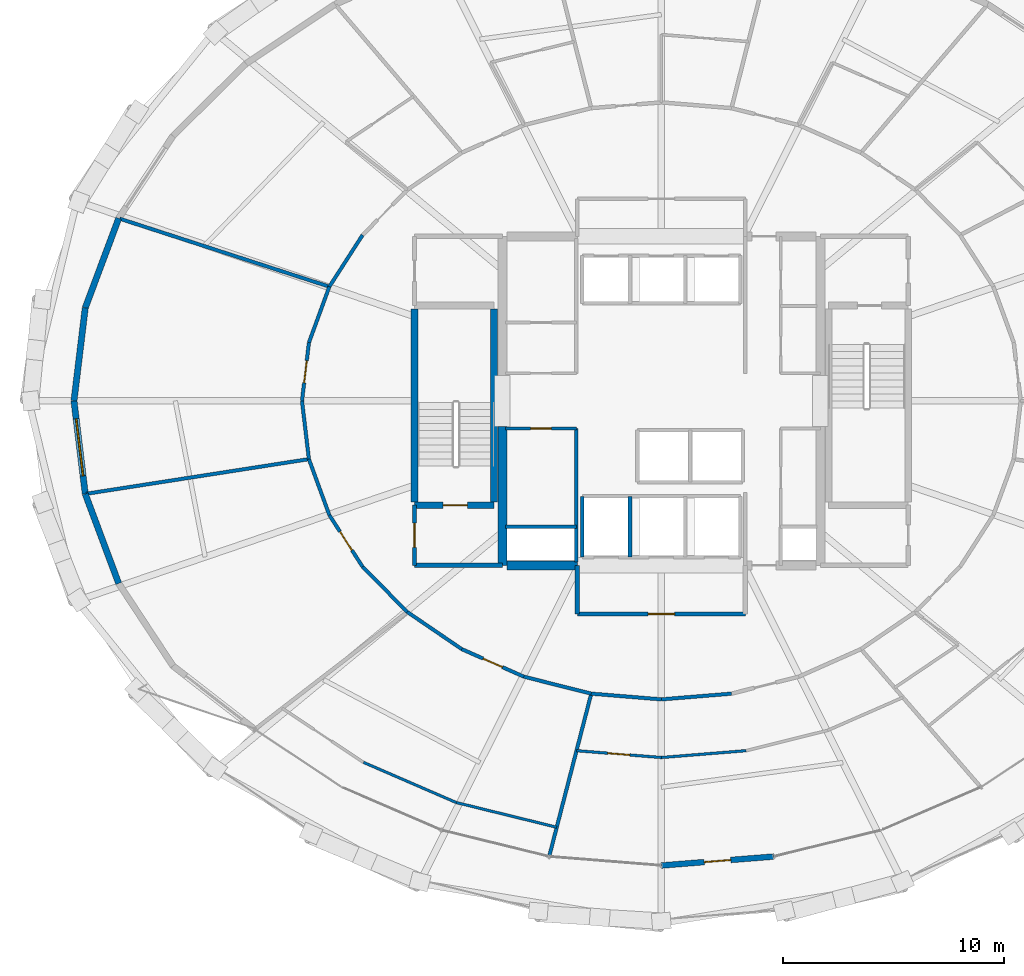
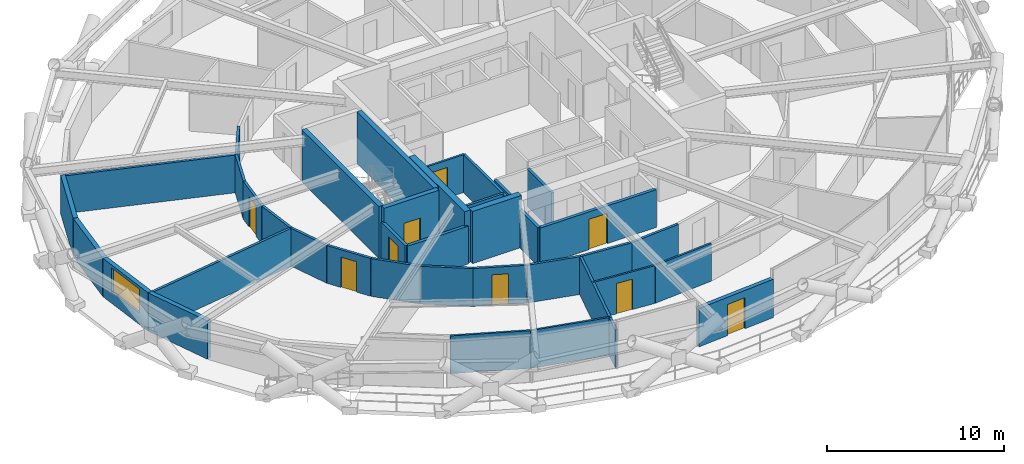
# One storey, part 11 of 17: 38 walls, 9 doors, 1 window, 10 openings.
"""IFC4 building model written with IfcOpenShell, lengths in metres."""

from ifc_helpers import new_model, si_unit, direction, frame, frame_2d, origin, place, context, subcontext, project, spatial, rectangle, extrude, material, layer, layer_set, type_object, element, fill, save


model = new_model("IFC4")

# Units and contexts
model_context = context("Model", 3, precision=1e-05, world=origin(), true_north=direction((0.0, 1.0)))
body_context = subcontext(model_context, "Body", "Model", "MODEL_VIEW")
ifc_project = project(units=[si_unit("LENGTHUNIT", "METRE"), si_unit("AREAUNIT", "SQUARE_METRE"), si_unit("VOLUMEUNIT", "CUBIC_METRE"), si_unit("PLANEANGLEUNIT", "RADIAN"), si_unit("MASSUNIT", "GRAM", prefix="KILO")], contexts=[model_context])

# Site, building, storey
site_placement = place(None, origin())
site = spatial("IfcSite", under=ifc_project, at=site_placement, CompositionType="ELEMENT")
building_placement = place(site_placement, origin())
building = spatial("IfcBuilding", under=site, at=building_placement, Name="Veldorina Hangang Commons", CompositionType="ELEMENT")
storey_placement = place(building_placement, frame((0.0, 0.0, 55.60009765625)))
storey = spatial("IfcBuildingStorey", under=building, at=storey_placement, Name="L13", CompositionType="ELEMENT", Elevation=55.60009765625)

# Walls
ifc_material_1 = material(Name="Concrete C70/85", Category="concrete")
ifc_layer_1 = layer(ifc_material_1, 0.39990234375)
ifc_layer_set_1 = layer_set([ifc_layer_1], Name="Concrete C70/85")
wall_type_1 = type_object("IfcWallType", Name="CW-RC400-C70", PredefinedType="SHEAR", material=ifc_layer_set_1)
wall_1_placement = place(storey_placement, frame((24.800048828125, 16.550048828125, 0.0), z_axis=(0.0, 0.0, 1.0), x_axis=(0.0, 1.0, 0.0)))
element("IfcWall", 1, at=wall_1_placement, inside=storey, type_object=wall_type_1, Name="L13 W south core shear wall", PredefinedType="SHEAR", context=body_context, shape_type="SweptSolid", body=[
    extrude(rectangle(XDim=6.300048828125, YDim=0.39990234375, at=frame_2d((3.14990234375, 0.0))), origin(), (0.0, 0.0, 1.0), 3.599853515625),
])
wall_2_placement = place(storey_placement, frame((25.0, 16.550048828125, 0.0), z_axis=(0.0, 0.0, 1.0), x_axis=(1.0, 0.0, 0.0)))
element("IfcWall", 2, at=wall_2_placement, inside=storey, type_object=wall_type_1, Name="L13 south-west core shear wall", PredefinedType="SHEAR", context=body_context, shape_type="SweptSolid", body=[
    extrude(rectangle(XDim=3.199951171875, YDim=0.39990234375, at=frame_2d((1.60009765625, 0.0))), origin(), (0.0, 0.0, 1.0), 3.599853515625),
])

# Wall, opening, door
ifc_material_2 = material(Name="Stone Roman Travertine", Category="masonry")
ifc_layer_2 = layer(ifc_material_2, 0.260009765625)
ifc_layer_set_2 = layer_set([ifc_layer_2], Name="Stone Roman Travertine")
wall_type_2 = type_object("IfcWallType", Name="EW-LOGGIA-260", PredefinedType="STANDARD", material=ifc_layer_set_2)
wall_3_placement = place(storey_placement, frame((32.0, 2.959228515625, 0.0), z_axis=(0.0, 0.0, 1.0), x_axis=(0.996848397903, 0.07933014306, 0.0)))
wall_3 = element("IfcWall", 3, at=wall_3_placement, inside=storey, type_object=wall_type_2, Name="L13 sky-garden loggia portal wall 24", PredefinedType="STANDARD", context=body_context, shape_type="SweptSolid", body=[
    extrude(rectangle(XDim=5.096435546875, YDim=0.260009765625, at=frame_2d((2.54833984375, 0.0))), origin(), (0.0, 0.0, 1.0), 2.64990234375),
])
opening_1_placement = place(wall_3_placement, frame((1.9482421875, 0.0, 0.0)))
opening_1 = element("IfcOpeningElement", 4, at=opening_1_placement, cuts=wall_3, Name="Opening BD-1200", PredefinedType="OPENING", context=body_context, shape_type="SweptSolid", body=[
    extrude(rectangle(XDim=1.199951171875, YDim=2.14990234375, at=frame_2d((0.60009765625, 1.074951171875))), frame((0.0, 0.14013671875, 0.0), z_axis=(0.0, -1.0, 0.0), x_axis=(1.0, 0.0, 0.0)), (0.0, 0.0, 1.0), 0.280029296875),
])
ifc_material_3 = material(Name="Glass Thermal Aluminium Frame", Category="aluminium")
door_type_1 = type_object("IfcDoorType", Name="DR-EXT-LOG1200", OperationType="SINGLE_SWING_LEFT", PredefinedType="DOOR", material=ifc_material_3)
door_1_placement = place(opening_1_placement, origin())
door_1 = element("IfcDoor", 5, at=door_1_placement, inside=storey, type_object=door_type_1, Name="L13 loggia glazed exterior door 24", OperationType="SINGLE_SWING_LEFT", OverallHeight=2.14990234375, OverallWidth=1.199951171875, PredefinedType="DOOR", context=body_context, shape_type="SweptSolid", body=[
    extrude(rectangle(XDim=1.199951171875, YDim=2.14990234375, at=frame_2d((0.60009765625, 1.074951171875))), frame((0.0, 0.02490234375, 0.0), z_axis=(0.0, -1.0, 0.0), x_axis=(1.0, 0.0, 0.0)), (0.0, 0.0, 1.0), 0.050048828125),
])
fill(opening_1, door_1)

# Walls
ifc_layer_3 = layer(ifc_material_2, 0.280029296875)
ifc_layer_set_3 = layer_set([ifc_layer_3], Name="Stone Roman Travertine")
wall_type_3 = type_object("IfcWallType", Name="EW-TRAV-280", PredefinedType="STANDARD", material=ifc_layer_set_3)
wall_4_placement = place(storey_placement, frame((7.42431640625, 32.26611328125, 0.0), z_axis=(0.0, 0.0, 1.0), x_axis=(-0.349991270329, -0.936752961401, 0.0)))
element("IfcWall", 6, at=wall_4_placement, inside=storey, type_object=wall_type_3, Name="L13 travertine facade wall 14", PredefinedType="STANDARD", context=body_context, shape_type="SweptSolid", body=[
    extrude(rectangle(XDim=4.32568359375, YDim=0.280029296875, at=frame_2d((2.162841796875, 0.0))), origin(), (0.0, 0.0, 1.0), 2.64990234375),
])
wall_5_placement = place(storey_placement, frame((5.910400390625, 28.214111328125, 0.0), z_axis=(0.0, 0.0, 1.0), x_axis=(-0.120374306833, -0.992728576326, 0.0)))
element("IfcWall", 7, at=wall_5_placement, inside=storey, type_object=wall_type_3, Name="L13 travertine facade wall 15", PredefinedType="STANDARD", context=body_context, shape_type="SweptSolid", body=[
    extrude(rectangle(XDim=4.244873046875, YDim=0.280029296875, at=frame_2d((2.12255859375, 0.0))), origin(), (0.0, 0.0, 1.0), 2.64990234375),
])

# Wall, opening, window
wall_6_placement = place(storey_placement, frame((5.3994140625, 24.0, 0.0), z_axis=(0.0, 0.0, 1.0), x_axis=(0.120374306833, -0.992728576326, 0.0)))
wall_6 = element("IfcWall", 8, at=wall_6_placement, inside=storey, type_object=wall_type_3, Name="L13 travertine facade wall 16", PredefinedType="STANDARD", context=body_context, shape_type="SweptSolid", body=[
    extrude(rectangle(XDim=4.244873046875, YDim=0.280029296875, at=frame_2d((2.12255859375, 0.0))), origin(), (0.0, 0.0, 1.0), 2.64990234375),
])
opening_2_placement = place(wall_6_placement, frame((0.822509765625, 0.0, 0.800048828125)))
opening_2 = element("IfcOpeningElement", 9, at=opening_2_placement, cuts=wall_6, Name="Opening W-02", PredefinedType="OPENING", context=body_context, shape_type="SweptSolid", body=[
    extrude(rectangle(XDim=2.60009765625, YDim=1.64990234375, at=frame_2d((1.300048828125, 0.824951171875))), frame((0.0, 0.14990234375, 0.0), z_axis=(0.0, -1.0, 0.0), x_axis=(1.0, 0.0, 0.0)), (0.0, 0.0, 1.0), 0.300048828125),
])
ifc_material_4 = material(Name="Glass Low-E Triple IGU", Category="glass")
window_type = type_object("IfcWindowType", Name="WIN-TWR-2600", PartitioningType="SINGLE_PANEL", PredefinedType="WINDOW", material=ifc_material_4)
window_placement = place(opening_2_placement, origin())
window = element("IfcWindow", 10, at=window_placement, inside=storey, type_object=window_type, Name="L13 facade window 16", OverallHeight=1.64990234375, OverallWidth=2.60009765625, PartitioningType="SINGLE_PANEL", PredefinedType="WINDOW", context=body_context, shape_type="SweptSolid", body=[
    extrude(rectangle(XDim=2.60009765625, YDim=1.64990234375, at=frame_2d((1.300048828125, 0.824951171875))), frame((0.0, 0.030029296875, 0.0), z_axis=(0.0, -1.0, 0.0), x_axis=(1.0, 0.0, 0.0)), (0.0, 0.0, 1.0), 0.06005859375),
])
fill(opening_2, window)

# Walls
wall_7_placement = place(storey_placement, frame((5.910400390625, 19.785888671875, 0.0), z_axis=(0.0, 0.0, 1.0), x_axis=(0.349991270329, -0.936752961401, 0.0)))
element("IfcWall", 11, at=wall_7_placement, inside=storey, type_object=wall_type_3, Name="L13 travertine facade wall 17", PredefinedType="STANDARD", context=body_context, shape_type="SweptSolid", body=[
    extrude(rectangle(XDim=4.32568359375, YDim=0.280029296875, at=frame_2d((2.162841796875, 0.0))), origin(), (0.0, 0.0, 1.0), 2.64990234375),
])
ifc_material_5 = material(Name="Concrete C50/60", Category="concrete")
ifc_layer_4 = layer(ifc_material_5, 0.300048828125)
ifc_layer_set_4 = layer_set([ifc_layer_4], Name="Concrete C50/60")
wall_type_4 = type_object("IfcWallType", Name="SW-STAIR-300", PredefinedType="SHEAR", material=ifc_layer_set_4)
for number, where, z_axis, x_axis, name in (
    (12, (20.820068359375, 19.429931640625, 0.0), (0.0, 0.0, 1.0), (0.0, 1.0, 0.0), "L13 ST1 outer stair shear wall"),
    (13, (24.419921875, 19.429931640625, 0.0), (0.0, 0.0, 1.0), (0.0, 1.0, 0.0), "L13 ST1 inner stair shear wall"),
):
    element("IfcWall", number, at=place(storey_placement, frame(where, z_axis=z_axis, x_axis=x_axis)), inside=storey, type_object=wall_type_4, Name=name, PredefinedType="SHEAR", context=body_context, shape_type="SweptSolid", body=[
        extrude(rectangle(XDim=8.739990234375, YDim=0.300048828125, at=frame_2d((4.3701171875, 0.0))), origin(), (0.0, 0.0, 1.0), 3.599853515625),
    ])

# Wall, opening, door
wall_8_placement = place(storey_placement, frame((20.820068359375, 19.280029296875, 0.0), z_axis=(0.0, 0.0, 1.0), x_axis=(1.0, 0.0, 0.0)))
wall_8 = element("IfcWall", 14, at=wall_8_placement, inside=storey, type_object=wall_type_4, Name="L13 ST1 south stair shear wall", PredefinedType="SHEAR", context=body_context, shape_type="SweptSolid", body=[
    extrude(rectangle(XDim=3.599853515625, YDim=0.300048828125, at=frame_2d((1.7998046875, 0.0))), origin(), (0.0, 0.0, 1.0), 3.599853515625),
])
opening_3_placement = place(wall_8_placement, frame((1.300048828125, 0.0, 0.0)))
opening_3 = element("IfcOpeningElement", 15, at=opening_3_placement, cuts=wall_8, Name="Opening D-08", PredefinedType="OPENING", context=body_context, shape_type="SweptSolid", body=[
    extrude(rectangle(XDim=1.10009765625, YDim=2.10009765625, at=frame_2d((0.550048828125, 1.050048828125))), frame((0.0, 0.16015625, 0.0), z_axis=(0.0, -1.0, 0.0), x_axis=(1.0, 0.0, 0.0)), (0.0, 0.0, 1.0), 0.320068359375),
])
ifc_material_6 = material(Name="Steel Fire-Rated Smoke Seal", Category="steel")
door_type_2 = type_object("IfcDoorType", Name="DR-FIRE-1100", OperationType="SINGLE_SWING_RIGHT", PredefinedType="DOOR", material=ifc_material_6)
door_2_placement = place(opening_3_placement, origin())
door_2 = element("IfcDoor", 16, at=door_2_placement, inside=storey, type_object=door_type_2, Name="L13 Special Escape Stair ST-1 door", OperationType="SINGLE_SWING_LEFT", OverallHeight=2.10009765625, OverallWidth=1.10009765625, PredefinedType="DOOR", context=body_context, shape_type="SweptSolid", body=[
    extrude(rectangle(XDim=1.10009765625, YDim=2.10009765625, at=frame_2d((0.550048828125, 1.050048828125))), frame((0.0, 0.02490234375, 0.0), z_axis=(0.0, -1.0, 0.0), x_axis=(1.0, 0.0, 0.0)), (0.0, 0.0, 1.0), 0.050048828125),
])
fill(opening_3, door_2)

# Walls
ifc_material_7 = material(Name="Gypsum Fire-Rated Twin Stud Wall", Category="gypsum")
ifc_layer_5 = layer(ifc_material_7, 0.159912109375)
ifc_layer_set_5 = layer_set([ifc_layer_5], Name="Gypsum Fire-Rated Twin Stud Wall")
wall_type_5 = type_object("IfcWallType", Name="WL-FIRE-160", PredefinedType="SOLIDWALL", material=ifc_layer_set_5)
for number, where, z_axis, x_axis, name in (
    (17, (28.419921875, 16.919921875, 0.0), (0.0, 0.0, 1.0), (0.0, 1.0, 0.0), "L13 FFL-1 west shaft wall 028"),
    (18, (30.580078125, 16.919921875, 0.0), (0.0, 0.0, 1.0), (0.0, 1.0, 0.0), "L13 FFL-1 east shaft wall 029"),
):
    element("IfcWall", number, at=place(storey_placement, frame(where, z_axis=z_axis, x_axis=x_axis)), inside=storey, type_object=wall_type_5, Name=name, PredefinedType="SOLIDWALL", context=body_context, shape_type="SweptSolid", body=[
        extrude(rectangle(XDim=2.760009765625, YDim=0.159912109375, at=frame_2d((1.3798828125, 0.0))), origin(), (0.0, 0.0, 1.0), 2.60986328125),
    ])
wall_9_placement = place(storey_placement, frame((24.949951171875, 18.300048828125, 0.0), z_axis=(0.0, 0.0, 1.0), x_axis=(1.0, 0.0, 0.0)))
element("IfcWall", 19, at=wall_9_placement, inside=storey, type_object=wall_type_5, Name="L13 Electrical riser wall 035", PredefinedType="SOLIDWALL", context=body_context, shape_type="SweptSolid", body=[
    extrude(rectangle(XDim=3.199951171875, YDim=0.159912109375, at=frame_2d((1.60009765625, 0.0))), origin(), (0.0, 0.0, 1.0), 2.60986328125),
])
wall_10_placement = place(storey_placement, frame((28.14990234375, 16.699951171875, 0.0), z_axis=(0.0, 0.0, 1.0), x_axis=(0.0, 1.0, 0.0)))
element("IfcWall", 20, at=wall_10_placement, inside=storey, type_object=wall_type_5, Name="L13 SW core inner wall 036", PredefinedType="SOLIDWALL", context=body_context, shape_type="SweptSolid", body=[
    extrude(rectangle(XDim=6.050048828125, YDim=0.159912109375, at=frame_2d((3.02490234375, 0.0))), origin(), (0.0, 0.0, 1.0), 2.60986328125),
])
wall_11_placement = place(storey_placement, frame((18.46875, 31.51025390625, 0.0), z_axis=(0.0, 0.0, 1.0), x_axis=(-0.541126045017, -0.840941498206, 0.0)))
element("IfcWall", 21, at=wall_11_placement, inside=storey, type_object=wall_type_5, Name="L13 Corridor outer wall 13 060", PredefinedType="SOLIDWALL", context=body_context, shape_type="SweptSolid", body=[
    extrude(rectangle(XDim=2.779296875, YDim=0.159912109375, at=frame_2d((1.3896484375, 0.0))), origin(), (0.0, 0.0, 1.0), 2.60986328125),
])
wall_12_placement = place(storey_placement, frame((16.96484375, 29.173095703125, 0.0), z_axis=(0.0, 0.0, 1.0), x_axis=(-0.343013437329, -0.939330496583, 0.0)))
element("IfcWall", 22, at=wall_12_placement, inside=storey, type_object=wall_type_5, Name="L13 Corridor outer wall 14 061", PredefinedType="SOLIDWALL", context=body_context, shape_type="SweptSolid", body=[
    extrude(rectangle(XDim=2.69970703125, YDim=0.159912109375, at=frame_2d((1.349853515625, 0.0))), origin(), (0.0, 0.0, 1.0), 2.60986328125),
])

# Wall, opening, door
wall_13_placement = place(storey_placement, frame((16.038818359375, 26.63720703125, 0.0), z_axis=(0.0, 0.0, 1.0), x_axis=(-0.117763961213, -0.99304161516, 0.0)))
wall_13 = element("IfcWall", 23, at=wall_13_placement, inside=storey, type_object=wall_type_5, Name="L13 Corridor outer wall 15 062", PredefinedType="SOLIDWALL", context=body_context, shape_type="SweptSolid", body=[
    extrude(rectangle(XDim=2.65576171875, YDim=0.159912109375, at=frame_2d((1.327880859375, 0.0))), origin(), (0.0, 0.0, 1.0), 2.60986328125),
])
opening_4_placement = place(wall_13_placement, frame((0.827880859375, 0.0, 0.0)))
opening_4 = element("IfcOpeningElement", 24, at=opening_4_placement, cuts=wall_13, Name="Opening D-05", PredefinedType="OPENING", context=body_context, shape_type="SweptSolid", body=[
    extrude(rectangle(XDim=1.0, YDim=2.10009765625, at=frame_2d((0.5, 1.050048828125))), frame((0.0, 0.08984375, 0.0), z_axis=(0.0, -1.0, 0.0), x_axis=(1.0, 0.0, 0.0)), (0.0, 0.0, 1.0), 0.179931640625),
])
ifc_material_8 = material(Name="Timber Solid Core Acoustic", Category="wood")
door_type_3 = type_object("IfcDoorType", Name="DR-INT-1000", OperationType="SINGLE_SWING_RIGHT", PredefinedType="DOOR", material=ifc_material_8)
door_3_placement = place(opening_4_placement, origin())
door_3 = element("IfcDoor", 25, at=door_3_placement, inside=storey, type_object=door_type_3, Name="L13 Floor Study Room 9 door 039", OperationType="SINGLE_SWING_LEFT", OverallHeight=2.10009765625, OverallWidth=1.0, PredefinedType="DOOR", context=body_context, shape_type="SweptSolid", body=[
    extrude(rectangle(XDim=1.0, YDim=2.10009765625, at=frame_2d((0.5, 1.050048828125))), frame((0.0, 0.02490234375, 0.0), z_axis=(0.0, -1.0, 0.0), x_axis=(1.0, 0.0, 0.0)), (0.0, 0.0, 1.0), 0.050048828125),
])
fill(opening_4, door_3)

# Walls
wall_14_placement = place(storey_placement, frame((15.72607421875, 24.0, 0.0), z_axis=(0.0, 0.0, 1.0), x_axis=(0.117763961213, -0.99304161516, 0.0)))
element("IfcWall", 26, at=wall_14_placement, inside=storey, type_object=wall_type_5, Name="L13 Corridor outer wall 16 063", PredefinedType="SOLIDWALL", context=body_context, shape_type="SweptSolid", body=[
    extrude(rectangle(XDim=2.65576171875, YDim=0.159912109375, at=frame_2d((1.327880859375, 0.0))), origin(), (0.0, 0.0, 1.0), 2.60986328125),
])
wall_15_placement = place(storey_placement, frame((16.038818359375, 21.36279296875, 0.0), z_axis=(0.0, 0.0, 1.0), x_axis=(0.343013437329, -0.939330496583, 0.0)))
element("IfcWall", 27, at=wall_15_placement, inside=storey, type_object=wall_type_5, Name="L13 Corridor outer wall 17 064", PredefinedType="SOLIDWALL", context=body_context, shape_type="SweptSolid", body=[
    extrude(rectangle(XDim=2.69970703125, YDim=0.159912109375, at=frame_2d((1.349853515625, 0.0))), origin(), (0.0, 0.0, 1.0), 2.60986328125),
])

# Wall, opening, door
wall_16_placement = place(storey_placement, frame((16.96484375, 18.826904296875, 0.0), z_axis=(0.0, 0.0, 1.0), x_axis=(0.541126045017, -0.840941498206, 0.0)))
wall_16 = element("IfcWall", 28, at=wall_16_placement, inside=storey, type_object=wall_type_5, Name="L13 Corridor outer wall 18 065", PredefinedType="SOLIDWALL", context=body_context, shape_type="SweptSolid", body=[
    extrude(rectangle(XDim=2.779296875, YDim=0.159912109375, at=frame_2d((1.3896484375, 0.0))), origin(), (0.0, 0.0, 1.0), 2.60986328125),
])
opening_5_placement = place(wall_16_placement, frame((0.8896484375, 0.0, 0.0)))
opening_5 = element("IfcOpeningElement", 29, at=opening_5_placement, cuts=wall_16, Name="Opening D-05", PredefinedType="OPENING", context=body_context, shape_type="SweptSolid", body=[
    extrude(rectangle(XDim=1.0, YDim=2.10009765625, at=frame_2d((0.5, 1.050048828125))), frame((0.0, 0.08984375, 0.0), z_axis=(0.0, -1.0, 0.0), x_axis=(1.0, 0.0, 0.0)), (0.0, 0.0, 1.0), 0.179931640625),
])
door_4_placement = place(opening_5_placement, origin())
door_4 = element("IfcDoor", 30, at=door_4_placement, inside=storey, type_object=door_type_3, Name="L13 Seminar Focus Room 10 door 040", OperationType="SINGLE_SWING_RIGHT", OverallHeight=2.10009765625, OverallWidth=1.0, PredefinedType="DOOR", context=body_context, shape_type="SweptSolid", body=[
    extrude(rectangle(XDim=1.0, YDim=2.10009765625, at=frame_2d((0.5, 1.050048828125))), frame((0.0, 0.02490234375, 0.0), z_axis=(0.0, -1.0, 0.0), x_axis=(1.0, 0.0, 0.0)), (0.0, 0.0, 1.0), 0.050048828125),
])
fill(opening_5, door_4)

# Walls
wall_17_placement = place(storey_placement, frame((18.46875, 16.48974609375, 0.0), z_axis=(0.0, 0.0, 1.0), x_axis=(0.702811997, -0.711375636969, 0.0)))
element("IfcWall", 31, at=wall_17_placement, inside=storey, type_object=wall_type_5, Name="L13 Corridor outer wall 19 066", PredefinedType="SOLIDWALL", context=body_context, shape_type="SweptSolid", body=[
    extrude(rectangle(XDim=2.87939453125, YDim=0.159912109375, at=frame_2d((1.439697265625, 0.0))), origin(), (0.0, 0.0, 1.0), 2.60986328125),
])
wall_18_placement = place(storey_placement, frame((20.492431640625, 14.44140625, 0.0), z_axis=(0.0, 0.0, 1.0), x_axis=(0.826293096206, -0.56324037423, 0.0)))
element("IfcWall", 32, at=wall_18_placement, inside=storey, type_object=wall_type_5, Name="L13 Corridor outer wall 20 067", PredefinedType="SOLIDWALL", context=body_context, shape_type="SweptSolid", body=[
    extrude(rectangle(XDim=2.98486328125, YDim=0.159912109375, at=frame_2d((1.492431640625, 0.0))), origin(), (0.0, 0.0, 1.0), 2.60986328125),
])

# Wall, opening, door
wall_19_placement = place(storey_placement, frame((22.958740234375, 12.76025390625, 0.0), z_axis=(0.0, 0.0, 1.0), x_axis=(0.913952123493, -0.405822024984, 0.0)))
wall_19 = element("IfcWall", 33, at=wall_19_placement, inside=storey, type_object=wall_type_5, Name="L13 Corridor outer wall 21 068", PredefinedType="SOLIDWALL", context=body_context, shape_type="SweptSolid", body=[
    extrude(rectangle(XDim=3.078369140625, YDim=0.159912109375, at=frame_2d((1.5390625, 0.0))), origin(), (0.0, 0.0, 1.0), 2.60986328125),
])
opening_6_placement = place(wall_19_placement, frame((1.064208984375, 0.0, 0.0)))
opening_6 = element("IfcOpeningElement", 34, at=opening_6_placement, cuts=wall_19, Name="Opening D-02", PredefinedType="OPENING", context=body_context, shape_type="SweptSolid", body=[
    extrude(rectangle(XDim=0.949951171875, YDim=2.10009765625, at=frame_2d((0.47509765625, 1.050048828125))), frame((0.0, 0.08984375, 0.0), z_axis=(0.0, -1.0, 0.0), x_axis=(1.0, 0.0, 0.0)), (0.0, 0.0, 1.0), 0.179931640625),
])
door_type_4 = type_object("IfcDoorType", Name="DR-INT-950", OperationType="SINGLE_SWING_LEFT", PredefinedType="DOOR", material=ifc_material_8)
door_5_placement = place(opening_6_placement, origin())
door_5 = element("IfcDoor", 35, at=door_5_placement, inside=storey, type_object=door_type_4, Name="L13 Linen drying store door 041", OperationType="SINGLE_SWING_LEFT", OverallHeight=2.10009765625, OverallWidth=0.949951171875, PredefinedType="DOOR", context=body_context, shape_type="SweptSolid", body=[
    extrude(rectangle(XDim=0.949951171875, YDim=2.10009765625, at=frame_2d((0.47509765625, 1.050048828125))), frame((0.0, 0.02490234375, 0.0), z_axis=(0.0, -1.0, 0.0), x_axis=(1.0, 0.0, 0.0)), (0.0, 0.0, 1.0), 0.050048828125),
])
fill(opening_6, door_5)

# Walls
wall_20_placement = place(storey_placement, frame((25.772216796875, 11.510986328125, 0.0), z_axis=(0.0, 0.0, 1.0), x_axis=(0.969689238064, -0.244341526521, 0.0)))
element("IfcWall", 36, at=wall_20_placement, inside=storey, type_object=wall_type_5, Name="L13 Corridor outer wall 22 069", PredefinedType="SOLIDWALL", context=body_context, shape_type="SweptSolid", body=[
    extrude(rectangle(XDim=3.1484375, YDim=0.159912109375, at=frame_2d((1.57421875, 0.0))), origin(), (0.0, 0.0, 1.0), 2.60986328125),
])
for number, where, z_axis, x_axis, name in (
    (37, (28.8251953125, 10.74169921875, 0.0), (0.0, 0.0, 1.0), (0.996669377538, -0.081548463373, 0.0), "L13 Corridor outer wall 23 070"),
    (38, (32.0, 10.48193359375, 0.0), (0.0, 0.0, 1.0), (0.996669377538, 0.081548463373, 0.0), "L13 Corridor outer wall 24 071"),
):
    element("IfcWall", number, at=place(storey_placement, frame(where, z_axis=z_axis, x_axis=x_axis)), inside=storey, type_object=wall_type_5, Name=name, PredefinedType="SOLIDWALL", context=body_context, shape_type="SweptSolid", body=[
        extrude(rectangle(XDim=3.185302734375, YDim=0.159912109375, at=frame_2d((1.5927734375, 0.0))), origin(), (0.0, 0.0, 1.0), 2.60986328125),
    ])
wall_21_placement = place(storey_placement, frame((28.8251953125, 10.74169921875, 0.0), z_axis=(0.0, 0.0, 1.0), x_axis=(-0.250071140074, -0.968227465476, 0.0)))
element("IfcWall", 39, at=wall_21_placement, inside=storey, type_object=wall_type_5, Name="L13 Unit party wall 23 079", PredefinedType="SOLIDWALL", context=body_context, shape_type="SweptSolid", body=[
    extrude(rectangle(XDim=7.570068359375, YDim=0.159912109375, at=frame_2d((3.78515625, 0.0))), origin(), (0.0, 0.0, 1.0), 2.60986328125),
])
wall_22_placement = place(storey_placement, frame((16.96484375, 29.173095703125, 0.0), z_axis=(0.0, 0.0, 1.0), x_axis=(-0.951258902123, 0.308393419405, 0.0)))
element("IfcWall", 40, at=wall_22_placement, inside=storey, type_object=wall_type_5, Name="L13 Unit party wall 14 111", PredefinedType="SOLIDWALL", context=body_context, shape_type="SweptSolid", body=[
    extrude(rectangle(XDim=9.9794921875, YDim=0.159912109375, at=frame_2d((4.98974609375, 0.0))), origin(), (0.0, 0.0, 1.0), 2.60986328125),
])
wall_23_placement = place(storey_placement, frame((16.038818359375, 21.36279296875, 0.0), z_axis=(0.0, 0.0, 1.0), x_axis=(-0.988098124705, -0.153824887305, 0.0)))
element("IfcWall", 41, at=wall_23_placement, inside=storey, type_object=wall_type_5, Name="L13 Unit party wall 17 112", PredefinedType="SOLIDWALL", context=body_context, shape_type="SweptSolid", body=[
    extrude(rectangle(XDim=10.200439453125, YDim=0.159912109375, at=frame_2d((5.10009765625, 0.0))), origin(), (0.0, 0.0, 1.0), 2.60986328125),
])

# Wall, opening, door
ifc_material_9 = material(Name="Concrete Blockwork Fire Wall C30/37", Category="masonry")
ifc_layer_6 = layer(ifc_material_9, 0.199951171875)
ifc_layer_set_6 = layer_set([ifc_layer_6], Name="Concrete Blockwork Fire Wall C30/37")
wall_type_6 = type_object("IfcWallType", Name="WL-FIRE-200", PredefinedType="SOLIDWALL", material=ifc_layer_set_6)
wall_24_placement = place(storey_placement, frame((20.820068359375, 16.550048828125, 0.0), z_axis=(0.0, 0.0, 1.0), x_axis=(0.0, 1.0, 0.0)))
wall_24 = element("IfcWall", 42, at=wall_24_placement, inside=storey, type_object=wall_type_6, Name="L13 West vestibule outer wall 001", PredefinedType="SOLIDWALL", context=body_context, shape_type="SweptSolid", body=[
    extrude(rectangle(XDim=2.72998046875, YDim=0.199951171875, at=frame_2d((1.364990234375, 0.0))), origin(), (0.0, 0.0, 1.0), 2.60986328125),
])
opening_7_placement = place(wall_24_placement, frame((0.81494140625, 0.0, 0.0)))
opening_7 = element("IfcOpeningElement", 43, at=opening_7_placement, cuts=wall_24, Name="Opening D-08", PredefinedType="OPENING", context=body_context, shape_type="SweptSolid", body=[
    extrude(rectangle(XDim=1.10009765625, YDim=2.10009765625, at=frame_2d((0.550048828125, 1.050048828125))), frame((0.0, 0.10986328125, 0.0), z_axis=(0.0, -1.0, 0.0), x_axis=(1.0, 0.0, 0.0)), (0.0, 0.0, 1.0), 0.219970703125),
])
door_6_placement = place(opening_7_placement, origin())
door_6 = element("IfcDoor", 44, at=door_6_placement, inside=storey, type_object=door_type_2, Name="L13 West vestibule west door 001", OperationType="SINGLE_SWING_LEFT", OverallHeight=2.10009765625, OverallWidth=1.10009765625, PredefinedType="DOOR", context=body_context, shape_type="SweptSolid", body=[
    extrude(rectangle(XDim=1.10009765625, YDim=2.10009765625, at=frame_2d((0.550048828125, 1.050048828125))), frame((0.0, 0.02490234375, 0.0), z_axis=(0.0, -1.0, 0.0), x_axis=(1.0, 0.0, 0.0)), (0.0, 0.0, 1.0), 0.050048828125),
])
fill(opening_7, door_6)

# Walls
wall_25_placement = place(storey_placement, frame((20.820068359375, 16.550048828125, 0.0), z_axis=(0.0, 0.0, 1.0), x_axis=(1.0, 0.0, 0.0)))
element("IfcWall", 45, at=wall_25_placement, inside=storey, type_object=wall_type_6, Name="L13 West vestibule south wall 002", PredefinedType="SOLIDWALL", context=body_context, shape_type="SweptSolid", body=[
    extrude(rectangle(XDim=3.97998046875, YDim=0.199951171875, at=frame_2d((1.989990234375, 0.0))), origin(), (0.0, 0.0, 1.0), 2.60986328125),
])
wall_26_placement = place(storey_placement, frame((28.199951171875, 14.35009765625, 0.0), z_axis=(0.0, 0.0, 1.0), x_axis=(0.0, 1.0, 0.0)))
element("IfcWall", 46, at=wall_26_placement, inside=storey, type_object=wall_type_6, Name="L13 FF lobby west wall 012", PredefinedType="SOLIDWALL", context=body_context, shape_type="SweptSolid", body=[
    extrude(rectangle(XDim=2.199951171875, YDim=0.199951171875, at=frame_2d((1.10009765625, 0.0))), origin(), (0.0, 0.0, 1.0), 2.60986328125),
])

# Wall, opening, door
wall_27_placement = place(storey_placement, frame((28.199951171875, 14.35009765625, 0.0), z_axis=(0.0, 0.0, 1.0), x_axis=(1.0, 0.0, 0.0)))
wall_27 = element("IfcWall", 47, at=wall_27_placement, inside=storey, type_object=wall_type_6, Name="L13 FF lobby south wall 014", PredefinedType="SOLIDWALL", context=body_context, shape_type="SweptSolid", body=[
    extrude(rectangle(XDim=7.60009765625, YDim=0.199951171875, at=frame_2d((3.800048828125, 0.0))), origin(), (0.0, 0.0, 1.0), 2.60986328125),
])
opening_8_placement = place(wall_27_placement, frame((3.199951171875, 0.0, 0.0)))
opening_8 = element("IfcOpeningElement", 48, at=opening_8_placement, cuts=wall_27, Name="Opening D-09", PredefinedType="OPENING", context=body_context, shape_type="SweptSolid", body=[
    extrude(rectangle(XDim=1.199951171875, YDim=2.10009765625, at=frame_2d((0.60009765625, 1.050048828125))), frame((0.0, 0.10986328125, 0.0), z_axis=(0.0, -1.0, 0.0), x_axis=(1.0, 0.0, 0.0)), (0.0, 0.0, 1.0), 0.219970703125),
])
ifc_material_10 = material(Name="Steel Fire-Rated Corridor Door", Category="steel")
door_type_5 = type_object("IfcDoorType", Name="DR-FIRE-1200", OperationType="SINGLE_SWING_LEFT", PredefinedType="DOOR", material=ifc_material_10)
door_7_placement = place(opening_8_placement, origin())
door_7 = element("IfcDoor", 49, at=door_7_placement, inside=storey, type_object=door_type_5, Name="L13 FF lobby south corridor door 005", OperationType="SINGLE_SWING_LEFT", OverallHeight=2.10009765625, OverallWidth=1.199951171875, PredefinedType="DOOR", context=body_context, shape_type="SweptSolid", body=[
    extrude(rectangle(XDim=1.199951171875, YDim=2.10009765625, at=frame_2d((0.60009765625, 1.050048828125))), frame((0.0, 0.02490234375, 0.0), z_axis=(0.0, -1.0, 0.0), x_axis=(1.0, 0.0, 0.0)), (0.0, 0.0, 1.0), 0.050048828125),
])
fill(opening_8, door_7)

ifc_material_11 = material(Name="Gypsum Acoustic Stud Partition", Category="gypsum")
ifc_layer_7 = layer(ifc_material_11, 0.1201171875)
ifc_layer_set_7 = layer_set([ifc_layer_7], Name="Gypsum Acoustic Stud Partition")
wall_type_7 = type_object("IfcWallType", Name="WL-PART-120", PredefinedType="PARTITIONING", material=ifc_layer_set_7)
wall_28_placement = place(storey_placement, frame((24.949951171875, 22.75, 0.0), z_axis=(0.0, 0.0, 1.0), x_axis=(1.0, 0.0, 0.0)))
wall_28 = element("IfcWall", 50, at=wall_28_placement, inside=storey, type_object=wall_type_7, Name="L13 SW service north wall 040", PredefinedType="PARTITIONING", context=body_context, shape_type="SweptSolid", body=[
    extrude(rectangle(XDim=3.199951171875, YDim=0.1201171875, at=frame_2d((1.60009765625, 0.0))), origin(), (0.0, 0.0, 1.0), 2.60986328125),
])
opening_9_placement = place(wall_28_placement, frame((1.125, 0.0, 0.0)))
opening_9 = element("IfcOpeningElement", 51, at=opening_9_placement, cuts=wall_28, Name="Opening D-02", PredefinedType="OPENING", context=body_context, shape_type="SweptSolid", body=[
    extrude(rectangle(XDim=0.949951171875, YDim=2.10009765625, at=frame_2d((0.47509765625, 1.050048828125))), frame((0.0, 0.070068359375, 0.0), z_axis=(0.0, -1.0, 0.0), x_axis=(1.0, 0.0, 0.0)), (0.0, 0.0, 1.0), 0.14013671875),
])
door_8_placement = place(opening_9_placement, origin())
door_8 = element("IfcDoor", 52, at=door_8_placement, inside=storey, type_object=door_type_4, Name="L13 Waste sorting door 015", OperationType="SINGLE_SWING_LEFT", OverallHeight=2.10009765625, OverallWidth=0.949951171875, PredefinedType="DOOR", context=body_context, shape_type="SweptSolid", body=[
    extrude(rectangle(XDim=0.949951171875, YDim=2.10009765625, at=frame_2d((0.47509765625, 1.050048828125))), frame((0.0, 0.02490234375, 0.0), z_axis=(0.0, -1.0, 0.0), x_axis=(1.0, 0.0, 0.0)), (0.0, 0.0, 1.0), 0.050048828125),
])
fill(opening_9, door_8)

wall_29_placement = place(storey_placement, frame((28.158203125, 8.159423828125, 0.0), z_axis=(0.0, 0.0, 1.0), x_axis=(0.996753960557, -0.080508025157, 0.0)))
wall_29 = element("IfcWall", 53, at=wall_29_placement, inside=storey, type_object=wall_type_7, Name="L13 Lounge alcove split 0 080", PredefinedType="PARTITIONING", context=body_context, shape_type="SweptSolid", body=[
    extrude(rectangle(XDim=3.854248046875, YDim=0.1201171875, at=frame_2d((1.92724609375, 0.0))), origin(), (0.0, 0.0, 1.0), 2.60986328125),
])
opening_10_placement = place(wall_29_placement, frame((1.427001953125, 0.0, 0.0)))
opening_10 = element("IfcOpeningElement", 54, at=opening_10_placement, cuts=wall_29, Name="Opening D-05", PredefinedType="OPENING", context=body_context, shape_type="SweptSolid", body=[
    extrude(rectangle(XDim=1.0, YDim=2.10009765625, at=frame_2d((0.5, 1.050048828125))), frame((0.0, 0.070068359375, 0.0), z_axis=(0.0, -1.0, 0.0), x_axis=(1.0, 0.0, 0.0)), (0.0, 0.0, 1.0), 0.14013671875),
])
door_9_placement = place(opening_10_placement, origin())
door_9 = element("IfcDoor", 55, at=door_9_placement, inside=storey, type_object=door_type_3, Name="L13 Commons lounge door 020", OperationType="SINGLE_SWING_RIGHT", OverallHeight=2.10009765625, OverallWidth=1.0, PredefinedType="DOOR", context=body_context, shape_type="SweptSolid", body=[
    extrude(rectangle(XDim=1.0, YDim=2.10009765625, at=frame_2d((0.5, 1.050048828125))), frame((0.0, 0.02490234375, 0.0), z_axis=(0.0, -1.0, 0.0), x_axis=(1.0, 0.0, 0.0)), (0.0, 0.0, 1.0), 0.050048828125),
])
fill(opening_10, door_9)

# Walls
wall_30_placement = place(storey_placement, frame((32.0, 7.84912109375, 0.0), z_axis=(0.0, 0.0, 1.0), x_axis=(0.996753960557, 0.080508025157, 0.0)))
element("IfcWall", 56, at=wall_30_placement, inside=storey, type_object=wall_type_7, Name="L13 Lounge alcove split 1 081", PredefinedType="PARTITIONING", context=body_context, shape_type="SweptSolid", body=[
    extrude(rectangle(XDim=3.854248046875, YDim=0.1201171875, at=frame_2d((1.92724609375, 0.0))), origin(), (0.0, 0.0, 1.0), 2.60986328125),
])
wall_31_placement = place(storey_placement, frame((18.50927734375, 7.631103515625, 0.0), z_axis=(0.0, 0.0, 1.0), x_axis=(0.91756730507, -0.397580483256, 0.0)))
element("IfcWall", 57, at=wall_31_placement, inside=storey, type_object=wall_type_7, Name="L13 Laundry split 1 115", PredefinedType="PARTITIONING", context=body_context, shape_type="SweptSolid", body=[
    extrude(rectangle(XDim=4.575439453125, YDim=0.1201171875, at=frame_2d((2.28759765625, 0.0))), origin(), (0.0, 0.0, 1.0), 2.60986328125),
])
wall_32_placement = place(storey_placement, frame((22.70751953125, 5.81201171875, 0.0), z_axis=(0.0, 0.0, 1.0), x_axis=(0.971060019355, -0.238835589496, 0.0)))
element("IfcWall", 58, at=wall_32_placement, inside=storey, type_object=wall_type_7, Name="L13 Laundry split 2 116", PredefinedType="PARTITIONING", context=body_context, shape_type="SweptSolid", body=[
    extrude(rectangle(XDim=4.69091796875, YDim=0.1201171875, at=frame_2d((2.345458984375, 0.0))), origin(), (0.0, 0.0, 1.0), 2.60986328125),
])

save(model, "model.ifc")
